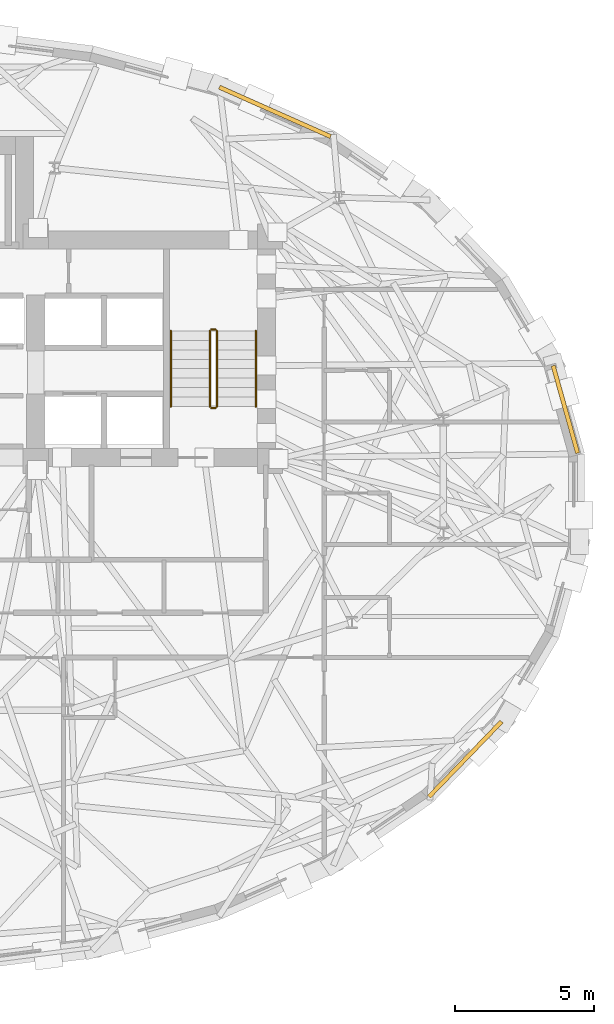
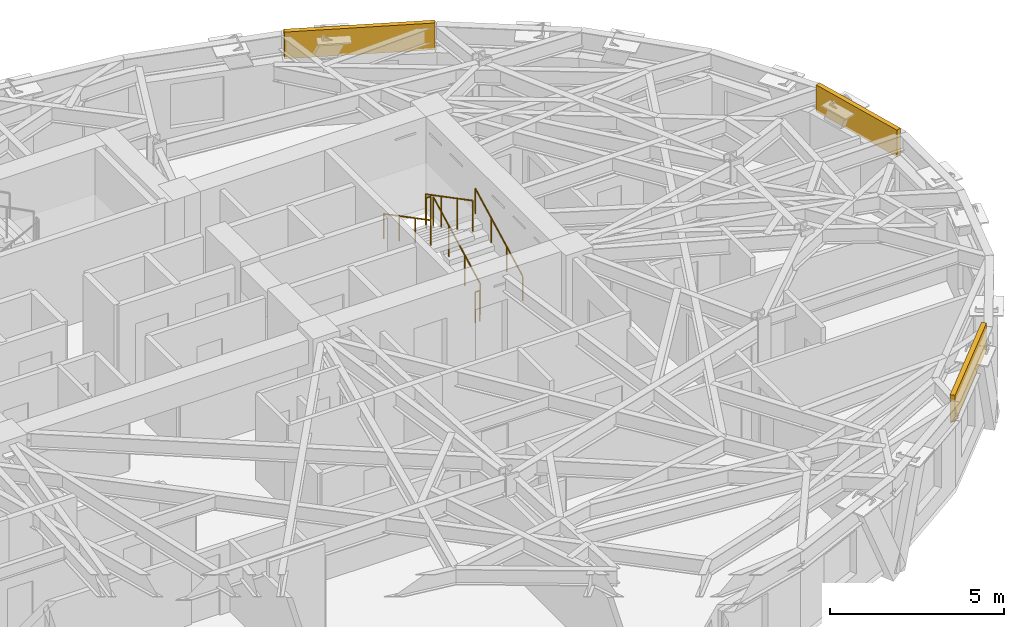
# One storey, part 14 of 15: 6 railings, 3 coverings.
"""IFC4 building model written with IfcOpenShell, lengths in metres."""

from ifc_helpers import new_model, si_unit, direction, frame, origin, origin_2d, place, context, subcontext, project, spatial, rectangle, circle, extrude, material, layer, layer_set, type_object, element, save


model = new_model("IFC4")

# Units and contexts
model_context = context("Model", 3, precision=1e-05, world=origin(), true_north=direction((0.0, 1.0)))
body_context = subcontext(model_context, "Body", "Model", "MODEL_VIEW")
ifc_project = project(units=[si_unit("LENGTHUNIT", "METRE"), si_unit("AREAUNIT", "SQUARE_METRE"), si_unit("VOLUMEUNIT", "CUBIC_METRE"), si_unit("PLANEANGLEUNIT", "RADIAN"), si_unit("MASSUNIT", "GRAM", prefix="KILO")], contexts=[model_context])

# Site, building, storey
site_placement = place(None, origin())
site = spatial("IfcSite", under=ifc_project, at=site_placement, CompositionType="ELEMENT")
building_placement = place(site_placement, origin())
building = spatial("IfcBuilding", under=site, at=building_placement, Name="Keldmark Tower", CompositionType="ELEMENT")
storey_placement = place(building_placement, frame((0.0, 0.0, 166.199951171875)))
storey = spatial("IfcBuildingStorey", under=building, at=storey_placement, Name="L45", CompositionType="ELEMENT", Elevation=166.199951171875)

# Coverings
ifc_material_1 = material(Name="Honed Kasota Buff Dolomitic Limestone", Category="masonry")
ifc_layer = layer(ifc_material_1, 0.074951171875)
ifc_layer_set = layer_set([ifc_layer], Name="Honed Kasota Buff Dolomitic Limestone")
covering_type = type_object("IfcCoveringType", Name="Kasota Buff Limestone Spandrel Cladding Band", PredefinedType="CLADDING", material=ifc_layer_set)
covering_1_placement = place(storey_placement, frame((24.205322265625, 3.25, 2.239013671875), z_axis=(0.0, 0.0, 1.0), x_axis=(-0.26920558486, 0.963082734286, 0.0)))
element("IfcCovering", 1, at=covering_1_placement, inside=storey, type_object=covering_type, Name="L45 Kasota Limestone Spandrel Band 01", PredefinedType="CLADDING", context=body_context, shape_type="SweptSolid", body=[
    extrude(rectangle(XDim=3.2568359375, YDim=0.14990234375, at=origin_2d()), origin(), (0.0, 0.0, 1.0), 0.94091796875),
])
covering_2_placement = place(storey_placement, frame((13.78466796875, 13.9267578125, 2.239013671875), z_axis=(0.0, 0.0, 1.0), x_axis=(-0.913921308103, 0.405891417247, 0.0)))
element("IfcCovering", 2, at=covering_2_placement, inside=storey, type_object=covering_type, Name="L45 Kasota Limestone Spandrel Band 05", PredefinedType="CLADDING", context=body_context, shape_type="SweptSolid", body=[
    extrude(rectangle(XDim=4.367431640625, YDim=0.14990234375, at=origin_2d()), origin(), (0.0, 0.0, 1.0), 0.94091796875),
])
covering_3_placement = place(storey_placement, frame((20.6142578125, -9.298095703125, 2.239013671875), z_axis=(0.0, 0.0, 1.0), x_axis=(0.694959625859, 0.719048759422, 0.0)))
element("IfcCovering", 3, at=covering_3_placement, inside=storey, type_object=covering_type, Name="L45 Kasota Limestone Spandrel Band 29", PredefinedType="CLADDING", context=body_context, shape_type="SweptSolid", body=[
    extrude(rectangle(XDim=3.74609375, YDim=0.14990234375, at=origin_2d()), origin(), (0.0, 0.0, 1.0), 0.94091796875),
])

# Railings
ifc_material_2 = material(Name="Painted Steel ASTM A500 Grade B", Category="steel")
railing_type_1 = type_object("IfcRailingType", Name="Painted Steel Stair Well Guard 1100 mm", PredefinedType="GUARDRAIL", material=ifc_material_2)
railing_1_placement = place(storey_placement, frame((11.699951171875, 3.35009765625, 0.177734375)))
element("IfcRailing", 4, at=railing_1_placement, inside=storey, type_object=railing_type_1, Name="L45 ST2 stair guard 1", PredefinedType="GUARDRAIL", context=body_context, shape_type="SweptSolid", body=[
    extrude(circle(Radius=0.02392578125, at=origin_2d()), frame((0.0, 0.0, 1.076171875), z_axis=(0.0, 0.886150474775, 0.463397600399), x_axis=(-1.0, 0.0, 0.0)), (0.0, 0.0, 1.0), 3.0693359375),
    extrude(circle(Radius=0.02099609375, at=origin_2d()), origin(), (0.0, 0.0, 1.0), 1.052001953125),
    extrude(circle(Radius=0.02099609375, at=origin_2d()), frame((0.0, 0.90673828125, 0.47412109375)), (0.0, 0.0, 1.0), 1.052001953125),
    extrude(circle(Radius=0.02099609375, at=origin_2d()), frame((0.0, 1.813232421875, 0.9482421875)), (0.0, 0.0, 1.0), 1.052001953125),
    extrude(circle(Radius=0.02099609375, at=origin_2d()), frame((0.0, 2.719970703125, 1.42236328125)), (0.0, 0.0, 1.0), 1.052001953125),
])
railing_2_placement = place(storey_placement, frame((11.64990234375, 6.1201171875, 1.60009765625)))
element("IfcRailing", 5, at=railing_2_placement, inside=storey, type_object=railing_type_1, Name="L45 ST2 stair guard 2", PredefinedType="GUARDRAIL", context=body_context, shape_type="SweptSolid", body=[
    extrude(circle(Radius=0.02392578125, at=origin_2d()), frame((0.0, 0.0, 1.076171875), z_axis=(-1.0, 0.0, 0.0), x_axis=(0.0, -1.0, 0.0)), (0.0, 0.0, 1.0), 0.14990234375),
    extrude(circle(Radius=0.02099609375, at=origin_2d()), origin(), (0.0, 0.0, 1.0), 1.052001953125),
    extrude(circle(Radius=0.02099609375, at=origin_2d()), frame((-0.14990234375, 0.0, 0.0)), (0.0, 0.0, 1.0), 1.052001953125),
])
railing_3_placement = place(storey_placement, frame((11.449951171875, 6.070068359375, 1.77783203125)))
element("IfcRailing", 6, at=railing_3_placement, inside=storey, type_object=railing_type_1, Name="L45 ST2 stair guard 3", PredefinedType="GUARDRAIL", context=body_context, shape_type="SweptSolid", body=[
    extrude(circle(Radius=0.02392578125, at=origin_2d()), frame((0.0, 0.0, 1.076171875), z_axis=(0.0, -0.886183135912, 0.463335137482), x_axis=(1.0, 0.0, 0.0)), (0.0, 0.0, 1.0), 3.0693359375),
    extrude(circle(Radius=0.02099609375, at=origin_2d()), origin(), (0.0, 0.0, 1.0), 1.052001953125),
    extrude(circle(Radius=0.02099609375, at=origin_2d()), frame((0.0, -0.90673828125, 0.47412109375)), (0.0, 0.0, 1.0), 1.052001953125),
    extrude(circle(Radius=0.02099609375, at=origin_2d()), frame((0.0, -1.813232421875, 0.947998046875)), (0.0, 0.0, 1.0), 1.052001953125),
    extrude(circle(Radius=0.02099609375, at=origin_2d()), frame((0.0, -2.719970703125, 1.422119140625)), (0.0, 0.0, 1.0), 1.052001953125),
])
railing_4_placement = place(storey_placement, frame((11.64990234375, 3.300048828125, 0.0)))
element("IfcRailing", 7, at=railing_4_placement, inside=storey, type_object=railing_type_1, Name="L45 ST2 stair guard 4", PredefinedType="GUARDRAIL", context=body_context, shape_type="SweptSolid", body=[
    extrude(circle(Radius=0.02392578125, at=origin_2d()), frame((0.0, 0.0, 1.076171875), z_axis=(-1.0, 0.0, 0.0), x_axis=(0.0, -1.0, 0.0)), (0.0, 0.0, 1.0), 0.14990234375),
    extrude(circle(Radius=0.02099609375, at=origin_2d()), origin(), (0.0, 0.0, 1.0), 1.052001953125),
    extrude(circle(Radius=0.02099609375, at=origin_2d()), frame((-0.14990234375, 0.0, 0.0)), (0.0, 0.0, 1.0), 1.052001953125),
])
ifc_material_3 = material(Name="Stainless Steel AISI 316L", Category="steel")
railing_type_2 = type_object("IfcRailingType", Name="Stainless Steel Stair Handrail 900 mm", PredefinedType="HANDRAIL", material=ifc_material_3)
railing_5_placement = place(storey_placement, frame((13.10009765625, 3.35009765625, 0.177734375)))
element("IfcRailing", 8, at=railing_5_placement, inside=storey, type_object=railing_type_2, Name="L45 ST2 stair handrail 1", PredefinedType="HANDRAIL", context=body_context, shape_type="SweptSolid", body=[
    extrude(circle(Radius=0.02392578125, at=origin_2d()), frame((0.0, 0.0, 0.8759765625), z_axis=(0.0, 0.886150474775, 0.463397600399), x_axis=(-1.0, 0.0, 0.0)), (0.0, 0.0, 1.0), 3.0693359375),
    extrude(circle(Radius=0.02099609375, at=origin_2d()), origin(), (0.0, 0.0, 1.0), 0.851806640625),
    extrude(circle(Radius=0.02099609375, at=origin_2d()), frame((0.0, 0.90673828125, 0.47412109375)), (0.0, 0.0, 1.0), 0.851806640625),
    extrude(circle(Radius=0.02099609375, at=origin_2d()), frame((0.0, 1.813232421875, 0.9482421875)), (0.0, 0.0, 1.0), 0.851806640625),
    extrude(circle(Radius=0.02099609375, at=origin_2d()), frame((0.0, 2.719970703125, 1.42236328125)), (0.0, 0.0, 1.0), 0.851806640625),
])
railing_6_placement = place(storey_placement, frame((10.050048828125, 6.070068359375, 1.77783203125)))
element("IfcRailing", 9, at=railing_6_placement, inside=storey, type_object=railing_type_2, Name="L45 ST2 stair handrail 2", PredefinedType="HANDRAIL", context=body_context, shape_type="SweptSolid", body=[
    extrude(circle(Radius=0.02392578125, at=origin_2d()), frame((0.0, 0.0, 0.8759765625), z_axis=(0.0, -0.886183135912, 0.463335137482), x_axis=(1.0, 0.0, 0.0)), (0.0, 0.0, 1.0), 3.0693359375),
    extrude(circle(Radius=0.02099609375, at=origin_2d()), origin(), (0.0, 0.0, 1.0), 0.851806640625),
    extrude(circle(Radius=0.02099609375, at=origin_2d()), frame((0.0, -0.90673828125, 0.47412109375)), (0.0, 0.0, 1.0), 0.851806640625),
    extrude(circle(Radius=0.02099609375, at=origin_2d()), frame((0.0, -1.813232421875, 0.947998046875)), (0.0, 0.0, 1.0), 0.851806640625),
    extrude(circle(Radius=0.02099609375, at=origin_2d()), frame((0.0, -2.719970703125, 1.422119140625)), (0.0, 0.0, 1.0), 0.851806640625),
])

save(model, "model.ifc")
